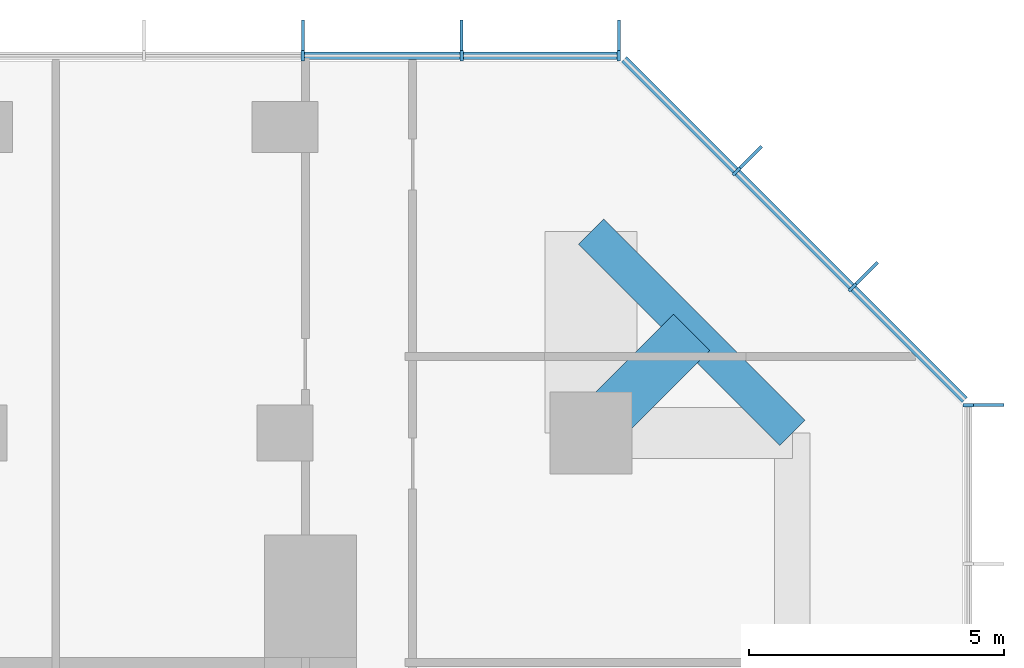
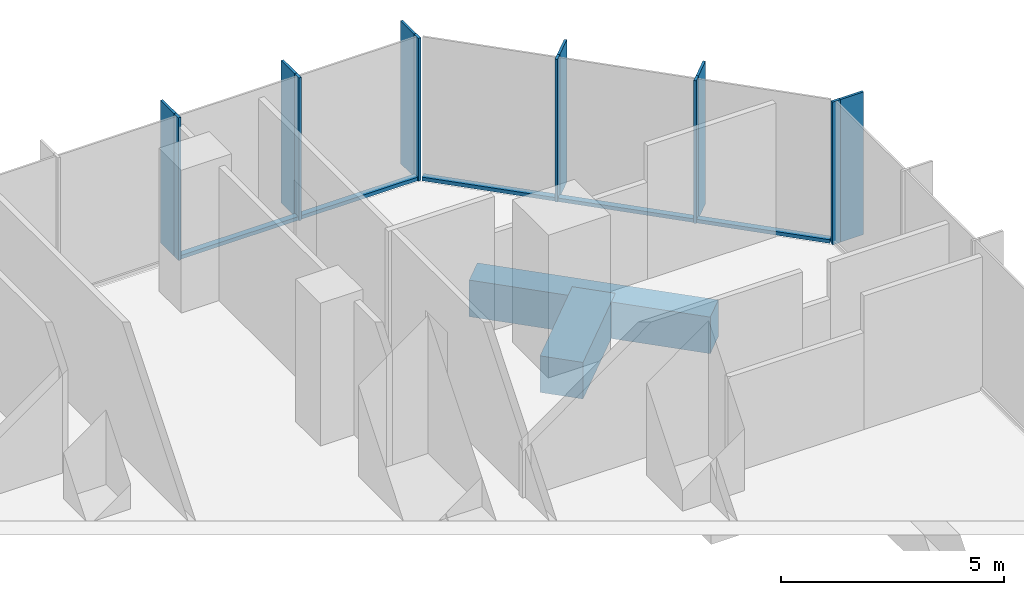
# One storey, part 6 of 10: 17 members, 2 beams, 3 elements without a shape of their own.
"""IFC4 building model written with IfcOpenShell, lengths in metres."""

import ifcopenshell
import ifcopenshell.guid

model = None  # the IFC model being written
_history = None  # IfcOwnerHistory: only IFC2X3 demands one
_inside = {}  # id of a spatial element -> (the spatial element, [elements in it])
_under = {}  # id of a project, library or spatial element -> (it, [spatial elements below it])
_declared = {}  # id of a project -> (the project, [libraries it declares])
_typed = {}  # id of a type object -> (the type object, [elements of that type])
_made_of = {}  # id of a material, layer set ... -> (it, [elements and type objects made of it])


def new_model(schema):
    """Start an empty IFC model of exactly this schema.

    Asked for "IFC4X3", IfcOpenShell would pick the latest addendum, in which some entities
    have other attributes; the version numbers below select the first issue.
    IFC2X3 requires an IfcOwnerHistory on every rooted entity: one is made here for all.
    """
    global model, _history
    if schema == "IFC4X3":
        model = ifcopenshell.file(schema_version=(4, 3, 0, 0))
    else:
        model = ifcopenshell.file(schema=schema)
    _inside.clear()
    _under.clear()
    _declared.clear()
    _typed.clear()
    _made_of.clear()
    _history = None
    if model.schema == "IFC2X3":
        org = make("IfcOrganization", Name="unknown")
        user = make(
            "IfcPersonAndOrganization",
            ThePerson=make("IfcPerson", FamilyName="unknown"),
            TheOrganization=org,
        )
        app = make(
            "IfcApplication",
            ApplicationDeveloper=org,
            Version="unknown",
            ApplicationFullName="unknown",
            ApplicationIdentifier="unknown",
        )
        _history = make(
            "IfcOwnerHistory",
            OwningUser=user,
            OwningApplication=app,
            ChangeAction="ADDED",
            CreationDate=0,
        )
    return model


def make(cls, **values):
    """One entity of the class cls with the attributes given. An attribute that is None is left unset."""
    return model.create_entity(
        cls, **{name: value for name, value in values.items() if value is not None}
    )


def rooted(cls, **values):
    """An entity with a GlobalId (a new one), such as an element, a storey or a relation."""
    return make(cls, GlobalId=ifcopenshell.guid.new(), OwnerHistory=_history, **values)


def si_unit(unit_type, name, prefix=None):
    """IfcSIUnit, for example si_unit("LENGTHUNIT", "METRE", prefix="MILLI")."""
    return make("IfcSIUnit", UnitType=unit_type, Prefix=prefix, Name=name)


def assignment(units):
    """IfcUnitAssignment: the units of a project."""
    return None if units is None else make("IfcUnitAssignment", Units=units)


def point(xyz):
    """IfcCartesianPoint."""
    return None if xyz is None else make("IfcCartesianPoint", Coordinates=xyz)


def direction(xyz):
    """IfcDirection."""
    return None if xyz is None else make("IfcDirection", DirectionRatios=xyz)


def frame(location, z_axis=None, x_axis=None):
    """IfcAxis2Placement3D, a coordinate frame: its origin and axes. An axis left out is left unset."""
    return make(
        "IfcAxis2Placement3D",
        Location=point(location),
        Axis=direction(z_axis),
        RefDirection=direction(x_axis),
    )


def frame_2d(location, x_axis=None):
    """IfcAxis2Placement2D, a coordinate frame in the plane: its origin and x axis."""
    return make(
        "IfcAxis2Placement2D", Location=point(location), RefDirection=direction(x_axis)
    )


def origin():
    """The frame at (0, 0, 0) with its axes left unset."""
    return frame((0.0, 0.0, 0.0))


def origin_2d():
    """The frame at (0, 0) in the plane with its x axis left unset."""
    return frame_2d((0.0, 0.0))


def place(relative_to, where):
    """IfcLocalPlacement: puts the frame where relative to a parent placement (None: the world)."""
    return make(
        "IfcLocalPlacement", PlacementRelTo=relative_to, RelativePlacement=where
    )


def context(
    kind, dimensions, precision=None, world=None, true_north=None, identifier=None
):
    """IfcGeometricRepresentationContext, for example the 3D "Model" context."""
    return make(
        "IfcGeometricRepresentationContext",
        ContextIdentifier=identifier,
        ContextType=kind,
        CoordinateSpaceDimension=dimensions,
        Precision=precision,
        WorldCoordinateSystem=world,
        TrueNorth=true_north,
    )


def subcontext(parent, identifier, kind, view, scale=None):
    """IfcGeometricRepresentationSubContext, for example "Body" below "Model"."""
    return make(
        "IfcGeometricRepresentationSubContext",
        ContextIdentifier=identifier,
        ContextType=kind,
        ParentContext=parent,
        TargetScale=scale,
        TargetView=view,
    )


def project(units=None, contexts=None):
    """IfcProject with its units and contexts."""
    return rooted(
        "IfcProject",
        Name="project",
        RepresentationContexts=contexts,
        UnitsInContext=assignment(units),
    )


def spatial(cls, under=None, at=None, **own):
    """A site, building, storey or space (cls), placed at a placement, below another one or the project."""
    s = rooted(cls, ObjectPlacement=at, **own)
    if under is not None:
        _under.setdefault(under.id(), (under, []))[1].append(s)
    return s


def profile(cls, at=None, kind="AREA", **sizes):
    """A parametric profile (cls). Its sizes go by their IFC names, for example OverallWidth=200.0."""
    return make(cls, ProfileType=kind, Position=at, **sizes)


def rectangle(**sizes):
    """IfcRectangleProfileDef."""
    return profile("IfcRectangleProfileDef", **sizes)


def extrude(swept, where, along, depth):
    """IfcExtrudedAreaSolid: the profile swept, set in the frame where, extruded along a direction by depth."""
    return make(
        "IfcExtrudedAreaSolid",
        SweptArea=swept,
        Position=where,
        ExtrudedDirection=direction(along),
        Depth=depth,
    )


def shape(context_of_items, identifier, shape_type, items):
    """IfcShapeRepresentation: the items that make up one representation, for example the "Body"."""
    return make(
        "IfcShapeRepresentation",
        ContextOfItems=context_of_items,
        RepresentationIdentifier=identifier,
        RepresentationType=shape_type,
        Items=items,
    )


def material(Name=None, Category=None):
    """IfcMaterial."""
    return make("IfcMaterial", Name=Name, Category=Category)


def layer(
    of_material, thickness, ventilated=None, Name=None, Category=None, Priority=None
):
    """IfcMaterialLayer: one layer of a wall or slab, of a material (None: an air gap)."""
    return make(
        "IfcMaterialLayer",
        Material=of_material,
        LayerThickness=thickness,
        IsVentilated=ventilated,
        Name=Name,
        Category=Category,
        Priority=Priority,
    )


def layer_set(layers, Name=None):
    """IfcMaterialLayerSet."""
    return make("IfcMaterialLayerSet", MaterialLayers=layers, LayerSetName=Name)


def material_profile(
    of_material, cross_section, Name=None, Category=None, Priority=None
):
    """IfcMaterialProfile: a cross section and its material."""
    return make(
        "IfcMaterialProfile",
        Name=Name,
        Material=of_material,
        Profile=cross_section,
        Priority=Priority,
        Category=Category,
    )


def profile_set(profiles, Name=None, composite=None):
    """IfcMaterialProfileSet."""
    return make(
        "IfcMaterialProfileSet",
        Name=Name,
        MaterialProfiles=profiles,
        CompositeProfile=composite,
    )


def made_of(thing, what):
    """Note that an element or type object is made of a material, layer set ...; save() writes the relation."""
    if what is not None:
        _made_of.setdefault(what.id(), (what, []))[1].append(thing)
    return thing


def type_object(cls, material=None, **own):
    """A type object (cls), such as IfcWallType, which elements share."""
    return made_of(rooted(cls, **own), material)


def element(
    cls,
    number,
    at=None,
    inside=None,
    cuts=None,
    type_object=None,
    material=None,
    context=None,
    identifier="Body",
    shape_type=None,
    held_by="IfcProductDefinitionShape",
    body=None,
    shapes=None,
    **own,
):
    """One element of the class cls, such as IfcWall. Its Tag is "e" and its number.

    at: its placement. inside: the storey or other place that contains it. cuts: it is an
    opening in that element (IfcRelVoidsElement). A single representation is given by context,
    identifier, shape_type and body (its items); several are given by shapes. held_by: the class
    of the entity that holds the representations. save() writes the other relations.
    """
    e = rooted(cls, Tag="e%d" % number, ObjectPlacement=at, **own)
    if body is not None:
        shapes = [shape(context, identifier, shape_type, body)]
    if shapes is not None:
        e.Representation = make(held_by, Representations=shapes)
    if inside is not None:
        _inside.setdefault(inside.id(), (inside, []))[1].append(e)
    if cuts is not None:
        rooted(
            "IfcRelVoidsElement", RelatingBuildingElement=cuts, RelatedOpeningElement=e
        )
    if type_object is not None:
        _typed.setdefault(type_object.id(), (type_object, []))[1].append(e)
    return made_of(e, material)


def aggregate(whole, parts):
    """IfcRelAggregates: a whole, such as a stair, and the parts it consists of."""
    return rooted("IfcRelAggregates", RelatingObject=whole, RelatedObjects=parts)


def save(model, path):
    """Write the relations noted so far, then the file.

    IfcRelAggregates (storeys below a building ...), IfcRelContainedInSpatialStructure (elements
    in a storey), IfcRelDefinesByType, IfcRelAssociatesMaterial and IfcRelDeclares: one each for
    every whole, place, type object, material and project.
    """
    for whole, parts in _under.values():
        aggregate(whole, parts)
    for where, things in _inside.values():
        rooted(
            "IfcRelContainedInSpatialStructure",
            RelatedElements=things,
            RelatingStructure=where,
        )
    for kind, things in _typed.values():
        rooted("IfcRelDefinesByType", RelatedObjects=things, RelatingType=kind)
    for what, things in _made_of.values():
        rooted("IfcRelAssociatesMaterial", RelatedObjects=things, RelatingMaterial=what)
    for by, libraries in _declared.values():
        rooted("IfcRelDeclares", RelatingContext=by, RelatedDefinitions=libraries)
    model.write(path)


model = new_model("IFC4")

# Units and contexts
model_context = context("Model", 3, precision=1e-05, world=origin(), true_north=direction((0.0, 1.0)))
body_context = subcontext(model_context, "Body", "Model", "MODEL_VIEW")
ifc_project = project(units=[si_unit("LENGTHUNIT", "METRE"), si_unit("AREAUNIT", "SQUARE_METRE"), si_unit("VOLUMEUNIT", "CUBIC_METRE"), si_unit("PLANEANGLEUNIT", "RADIAN"), si_unit("MASSUNIT", "GRAM", prefix="KILO")], contexts=[model_context])

# Site, building, storey
site_placement = place(None, origin())
site = spatial("IfcSite", under=ifc_project, at=site_placement, CompositionType="ELEMENT")
building_placement = place(site_placement, origin())
building = spatial("IfcBuilding", under=site, at=building_placement, Name="Highveld Stack Headquarters", CompositionType="ELEMENT")
storey_placement = place(building_placement, frame((0.0, 0.0, 252.800048828125)))
storey = spatial("IfcBuildingStorey", under=building, at=storey_placement, Name="L62", CompositionType="ELEMENT", Elevation=252.800048828125)

# Beam
ifc_material_1 = material(Name="Concrete C60/75", Category="concrete")
ifc_material_profile_1 = material_profile(ifc_material_1, rectangle(XDim=1.0, YDim=1.0, at=origin_2d()), Name="RC 1000x1000")
ifc_profile_set_1 = profile_set([ifc_material_profile_1], Name="Concrete C60/75")
beam_type_1 = type_object("IfcBeamType", Name="CANTILEVER RIB RC 1000x1000", PredefinedType="USERDEFINED", material=ifc_profile_set_1)
beam_1_placement = place(storey_placement, frame((24.0, 18.0, -0.75), z_axis=(0.707106781187, 0.707106781187, 0.0), x_axis=(-0.707106781187, 0.707106781187, 0.0)))
element("IfcBeam", 1, at=beam_1_placement, inside=storey, type_object=beam_type_1, Name="Cantilever rib 10/H L62", ObjectType="CANTILEVER RIB", PredefinedType="USERDEFINED", context=body_context, shape_type="SweptSolid", body=[
    extrude(rectangle(XDim=1.0, YDim=1.0, at=origin_2d()), origin(), (0.0, 0.0, 1.0), 2.793212890625),
])

# Curtain wall, member
ifc_material_2 = material(Name="Aluminium bronze anodised", Category="aluminium")
ifc_layer = layer(ifc_material_2, 0.199951171875)
ifc_layer_set = layer_set([ifc_layer], Name="Aluminium bronze anodised")
curtain_wall_type = type_object("IfcCurtainWallType", Name="CW5 EXECUTIVE UNITISED CURTAIN WALL", PredefinedType="NOTDEFINED", material=ifc_layer_set)
curtain_wall_1_placement = place(storey_placement, origin())
curtain_wall_1 = element("IfcCurtainWall", 2, at=curtain_wall_1_placement, inside=storey, type_object=curtain_wall_type, Name="Curtain wall CW5 L62 E", PredefinedType="NOTDEFINED")
ifc_material_3 = material(Name="Aluminium bronze anodised", Category="aluminium")
ifc_material_profile_2 = material_profile(ifc_material_3, rectangle(XDim=0.60009765625, YDim=0.06005859375, at=origin_2d()), Name="FIN 600x60")
ifc_profile_set_2 = profile_set([ifc_material_profile_2], Name="Aluminium bronze anodised")
member_type_1 = type_object("IfcMemberType", Name="CW5 BRONZE FIN 600x60", PredefinedType="USERDEFINED", material=ifc_profile_set_2)
member_1_placement = place(storey_placement, frame((31.800048828125, 18.54736328125, 0.0), z_axis=(0.0, 0.0, 1.0), x_axis=(-1.0, 0.0, 0.0)))
member_1 = element("IfcMember", 3, at=member_1_placement, type_object=member_type_1, Name="CW5 fin L62 9", ObjectType="FIN", PredefinedType="USERDEFINED", context=body_context, shape_type="SweptSolid", body=[
    extrude(rectangle(XDim=0.60009765625, YDim=0.06005859375, at=origin_2d()), origin(), (0.0, 0.0, 1.0), 3.89990234375),
])

# Curtain wall, members
curtain_wall_2_placement = place(storey_placement, origin())
curtain_wall_2 = element("IfcCurtainWall", 4, at=curtain_wall_2_placement, inside=storey, type_object=curtain_wall_type, Name="Curtain wall CW5 L62 NE", PredefinedType="NOTDEFINED")
member_2_placement = place(storey_placement, frame((29.409423828125, 21.135986328125, 0.0), z_axis=(0.0, 0.0, 1.0), x_axis=(-0.707106781187, -0.707106781187, 0.0)))
member_2 = element("IfcMember", 5, at=member_2_placement, type_object=member_type_1, Name="CW5 fin L62 1", ObjectType="FIN", PredefinedType="USERDEFINED", context=body_context, shape_type="SweptSolid", body=[
    extrude(rectangle(XDim=0.60009765625, YDim=0.06005859375, at=origin_2d()), origin(), (0.0, 0.0, 1.0), 3.89990234375),
])
member_3_placement = place(storey_placement, frame((27.135986328125, 23.409423828125, 0.0), z_axis=(0.0, 0.0, 1.0), x_axis=(-0.707106781187, -0.707106781187, 0.0)))
member_3 = element("IfcMember", 6, at=member_3_placement, type_object=member_type_1, Name="CW5 fin L62 2", ObjectType="FIN", PredefinedType="USERDEFINED", context=body_context, shape_type="SweptSolid", body=[
    extrude(rectangle(XDim=0.60009765625, YDim=0.06005859375, at=origin_2d()), origin(), (0.0, 0.0, 1.0), 3.89990234375),
])

curtain_wall_3_placement = place(storey_placement, origin())
curtain_wall_3 = element("IfcCurtainWall", 7, at=curtain_wall_3_placement, inside=storey, type_object=curtain_wall_type, Name="Curtain wall CW5 L62 N", PredefinedType="NOTDEFINED")
member_4_placement = place(storey_placement, frame((24.54736328125, 25.800048828125, 0.0), z_axis=(0.0, 0.0, 1.0), x_axis=(0.0, -1.0, 0.0)))
member_4 = element("IfcMember", 8, at=member_4_placement, type_object=member_type_1, Name="CW5 fin L62 1", ObjectType="FIN", PredefinedType="USERDEFINED", context=body_context, shape_type="SweptSolid", body=[
    extrude(rectangle(XDim=0.60009765625, YDim=0.06005859375, at=origin_2d()), origin(), (0.0, 0.0, 1.0), 3.89990234375),
])
member_5_placement = place(storey_placement, frame((21.4638671875, 25.800048828125, 0.0), z_axis=(0.0, 0.0, 1.0), x_axis=(0.0, -1.0, 0.0)))
member_5 = element("IfcMember", 9, at=member_5_placement, type_object=member_type_1, Name="CW5 fin L62 2", ObjectType="FIN", PredefinedType="USERDEFINED", context=body_context, shape_type="SweptSolid", body=[
    extrude(rectangle(XDim=0.60009765625, YDim=0.06005859375, at=origin_2d()), origin(), (0.0, 0.0, 1.0), 3.89990234375),
])
member_6_placement = place(storey_placement, frame((18.347900390625, 25.800048828125, 0.0), z_axis=(0.0, 0.0, 1.0), x_axis=(0.0, -1.0, 0.0)))
member_6 = element("IfcMember", 10, at=member_6_placement, type_object=member_type_1, Name="CW5 fin L62 3", ObjectType="FIN", PredefinedType="USERDEFINED", context=body_context, shape_type="SweptSolid", body=[
    extrude(rectangle(XDim=0.60009765625, YDim=0.06005859375, at=origin_2d()), origin(), (0.0, 0.0, 1.0), 3.89990234375),
])

# Member
ifc_material_4 = material(Name="Aluminium bronze anodised", Category="aluminium")
ifc_material_profile_3 = material_profile(ifc_material_4, rectangle(XDim=0.199951171875, YDim=0.06494140625, at=origin_2d()), Name="CW5 MULLION 65x200")
ifc_profile_set_3 = profile_set([ifc_material_profile_3], Name="Aluminium bronze anodised")
member_type_2 = type_object("IfcMemberType", Name="CW5 MULLION 65x200", PredefinedType="MULLION", material=ifc_profile_set_3)
member_7_placement = place(storey_placement, frame((31.39990234375, 18.54736328125, 0.0), z_axis=(0.0, 0.0, 1.0), x_axis=(-1.0, 0.0, 0.0)))
member_7 = element("IfcMember", 11, at=member_7_placement, type_object=member_type_2, Name="CW5 mullion L62 9", PredefinedType="MULLION", context=body_context, shape_type="SweptSolid", body=[
    extrude(rectangle(XDim=0.199951171875, YDim=0.06494140625, at=origin_2d()), origin(), (0.0, 0.0, 1.0), 3.89990234375),
])

aggregate(curtain_wall_1, [member_7, member_1])

member_8_placement = place(storey_placement, frame((29.126708984375, 20.853271484375, 0.0), z_axis=(0.0, 0.0, 1.0), x_axis=(-0.707106781187, -0.707106781187, 0.0)))
member_8 = element("IfcMember", 12, at=member_8_placement, type_object=member_type_2, Name="CW5 mullion L62 1", PredefinedType="MULLION", context=body_context, shape_type="SweptSolid", body=[
    extrude(rectangle(XDim=0.199951171875, YDim=0.06494140625, at=origin_2d()), origin(), (0.0, 0.0, 1.0), 3.89990234375),
])

member_9_placement = place(storey_placement, frame((26.853271484375, 23.126708984375, 0.0), z_axis=(0.0, 0.0, 1.0), x_axis=(-0.707106781187, -0.707106781187, 0.0)))
member_9 = element("IfcMember", 13, at=member_9_placement, type_object=member_type_2, Name="CW5 mullion L62 2", PredefinedType="MULLION", context=body_context, shape_type="SweptSolid", body=[
    extrude(rectangle(XDim=0.199951171875, YDim=0.06494140625, at=origin_2d()), origin(), (0.0, 0.0, 1.0), 3.89990234375),
])

member_10_placement = place(storey_placement, frame((24.54736328125, 25.39990234375, 0.0), z_axis=(0.0, 0.0, 1.0), x_axis=(0.0, -1.0, 0.0)))
member_10 = element("IfcMember", 14, at=member_10_placement, type_object=member_type_2, Name="CW5 mullion L62 1", PredefinedType="MULLION", context=body_context, shape_type="SweptSolid", body=[
    extrude(rectangle(XDim=0.199951171875, YDim=0.06494140625, at=origin_2d()), origin(), (0.0, 0.0, 1.0), 3.89990234375),
])

member_11_placement = place(storey_placement, frame((21.4638671875, 25.39990234375, 0.0), z_axis=(0.0, 0.0, 1.0), x_axis=(0.0, -1.0, 0.0)))
member_11 = element("IfcMember", 15, at=member_11_placement, type_object=member_type_2, Name="CW5 mullion L62 2", PredefinedType="MULLION", context=body_context, shape_type="SweptSolid", body=[
    extrude(rectangle(XDim=0.199951171875, YDim=0.06494140625, at=origin_2d()), origin(), (0.0, 0.0, 1.0), 3.89990234375),
])

member_12_placement = place(storey_placement, frame((18.347900390625, 25.39990234375, 0.0), z_axis=(0.0, 0.0, 1.0), x_axis=(0.0, -1.0, 0.0)))
member_12 = element("IfcMember", 16, at=member_12_placement, type_object=member_type_2, Name="CW5 mullion L62 3", PredefinedType="MULLION", context=body_context, shape_type="SweptSolid", body=[
    extrude(rectangle(XDim=0.199951171875, YDim=0.06494140625, at=origin_2d()), origin(), (0.0, 0.0, 1.0), 3.89990234375),
])

ifc_material_5 = material(Name="Aluminium bronze anodised", Category="aluminium")
ifc_material_profile_4 = material_profile(ifc_material_5, rectangle(XDim=0.14990234375, YDim=0.10009765625, at=origin_2d()), Name="CW5 TRANSOM 150x100")
ifc_profile_set_4 = profile_set([ifc_material_profile_4], Name="Aluminium bronze anodised")
member_type_3 = type_object("IfcMemberType", Name="CW5 STACK TRANSOM 150x100", PredefinedType="USERDEFINED", material=ifc_profile_set_4)
member_13_placement = place(storey_placement, frame((31.329345703125, 18.650634765625, 0.050048828125), z_axis=(-0.707106781187, 0.707106781187, 0.0), x_axis=(-0.707106781187, -0.707106781187, 0.0)))
member_13 = element("IfcMember", 17, at=member_13_placement, type_object=member_type_3, Name="CW5 transom L62 1.1", ObjectType="TRANSOM", PredefinedType="USERDEFINED", context=body_context, shape_type="SweptSolid", body=[
    extrude(rectangle(XDim=0.14990234375, YDim=0.10009765625, at=origin_2d()), origin(), (0.0, 0.0, 1.0), 3.08251953125),
])

member_14_placement = place(storey_placement, frame((29.103759765625, 20.876220703125, 0.050048828125), z_axis=(-0.707106781187, 0.707106781187, 0.0), x_axis=(-0.707106781187, -0.707106781187, 0.0)))
member_14 = element("IfcMember", 18, at=member_14_placement, type_object=member_type_3, Name="CW5 transom L62 2.1", ObjectType="TRANSOM", PredefinedType="USERDEFINED", context=body_context, shape_type="SweptSolid", body=[
    extrude(rectangle(XDim=0.14990234375, YDim=0.10009765625, at=origin_2d()), origin(), (0.0, 0.0, 1.0), 3.150146484375),
])

member_15_placement = place(storey_placement, frame((26.830322265625, 23.149658203125, 0.050048828125), z_axis=(-0.707106781187, 0.707106781187, 0.0), x_axis=(-0.707106781187, -0.707106781187, 0.0)))
member_15 = element("IfcMember", 19, at=member_15_placement, type_object=member_type_3, Name="CW5 transom L62 3.1", ObjectType="TRANSOM", PredefinedType="USERDEFINED", context=body_context, shape_type="SweptSolid", body=[
    extrude(rectangle(XDim=0.14990234375, YDim=0.10009765625, at=origin_2d()), origin(), (0.0, 0.0, 1.0), 3.08251953125),
])

aggregate(curtain_wall_2, [member_8, member_2, member_9, member_3, member_13, member_14, member_15])

member_16_placement = place(storey_placement, frame((24.514892578125, 25.39990234375, 0.050048828125), z_axis=(-1.0, 0.0, 0.0), x_axis=(0.0, -1.0, 0.0)))
member_16 = element("IfcMember", 20, at=member_16_placement, type_object=member_type_3, Name="CW5 transom L62 1.1", ObjectType="TRANSOM", PredefinedType="USERDEFINED", context=body_context, shape_type="SweptSolid", body=[
    extrude(rectangle(XDim=0.14990234375, YDim=0.10009765625, at=origin_2d()), origin(), (0.0, 0.0, 1.0), 3.0185546875),
])

member_17_placement = place(storey_placement, frame((21.431396484375, 25.39990234375, 0.050048828125), z_axis=(-1.0, 0.0, 0.0), x_axis=(0.0, -1.0, 0.0)))
member_17 = element("IfcMember", 21, at=member_17_placement, type_object=member_type_3, Name="CW5 transom L62 2.1", ObjectType="TRANSOM", PredefinedType="USERDEFINED", context=body_context, shape_type="SweptSolid", body=[
    extrude(rectangle(XDim=0.14990234375, YDim=0.10009765625, at=origin_2d()), origin(), (0.0, 0.0, 1.0), 3.051025390625),
])

aggregate(curtain_wall_3, [member_10, member_4, member_11, member_5, member_12, member_6, member_16, member_17])

# Beam
ifc_material_6 = material(Name="Concrete C60/75", Category="concrete")
ifc_material_profile_5 = material_profile(ifc_material_6, rectangle(XDim=0.699951171875, YDim=1.0, at=origin_2d()), Name="RC 700x1000")
ifc_profile_set_5 = profile_set([ifc_material_profile_5], Name="Concrete C60/75")
beam_type_2 = type_object("IfcBeamType", Name="RIB TIP BEAM RC 700x1000", PredefinedType="SPANDREL", material=ifc_profile_set_5)
beam_2_placement = place(storey_placement, frame((27.949951171875, 18.0, -0.75), z_axis=(-0.707106781187, 0.707106781187, 0.0), x_axis=(-0.707106781187, -0.707106781187, 0.0)))
element("IfcBeam", 22, at=beam_2_placement, inside=storey, type_object=beam_type_2, Name="Rib tip beam 10/H corner L62", PredefinedType="SPANDREL", context=body_context, shape_type="SweptSolid", body=[
    extrude(rectangle(XDim=0.699951171875, YDim=1.0, at=origin_2d()), origin(), (0.0, 0.0, 1.0), 5.586181640625),
])

save(model, "model.ifc")
